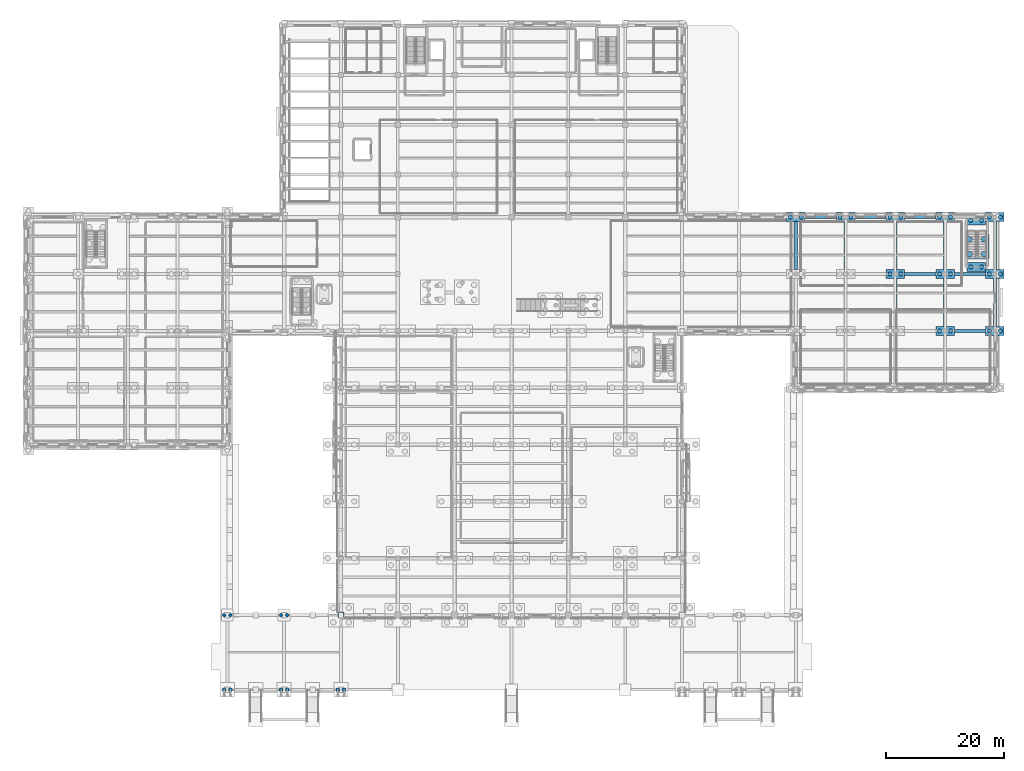
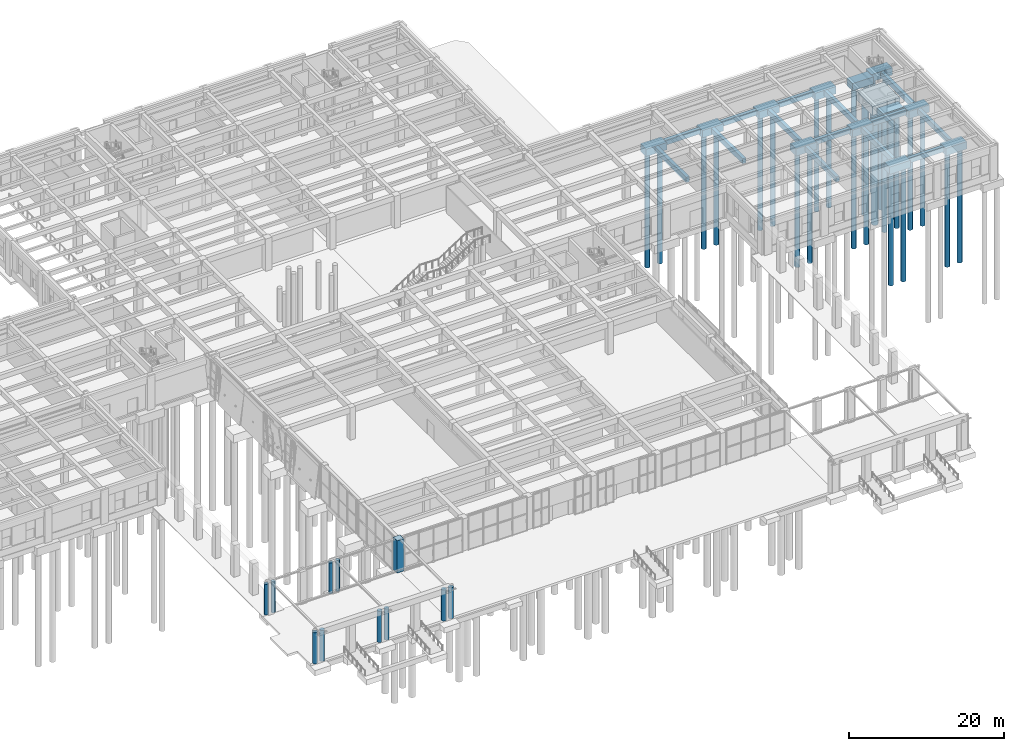
# One storey, part 5 of 51: 28 piles, 27 footings, 11 columns.
"""IFC4 building model written with IfcOpenShell, lengths in metres."""

import ifcopenshell
import ifcopenshell.guid

model = None  # the IFC model being written
_history = None  # IfcOwnerHistory: only IFC2X3 demands one
_inside = {}  # id of a spatial element -> (the spatial element, [elements in it])
_under = {}  # id of a project, library or spatial element -> (it, [spatial elements below it])
_declared = {}  # id of a project -> (the project, [libraries it declares])
_typed = {}  # id of a type object -> (the type object, [elements of that type])
_made_of = {}  # id of a material, layer set ... -> (it, [elements and type objects made of it])


def new_model(schema):
    """Start an empty IFC model of exactly this schema.

    Asked for "IFC4X3", IfcOpenShell would pick the latest addendum, in which some entities
    have other attributes; the version numbers below select the first issue.
    IFC2X3 requires an IfcOwnerHistory on every rooted entity: one is made here for all.
    """
    global model, _history
    if schema == "IFC4X3":
        model = ifcopenshell.file(schema_version=(4, 3, 0, 0))
    else:
        model = ifcopenshell.file(schema=schema)
    _inside.clear()
    _under.clear()
    _declared.clear()
    _typed.clear()
    _made_of.clear()
    _history = None
    if model.schema == "IFC2X3":
        org = make("IfcOrganization", Name="unknown")
        user = make(
            "IfcPersonAndOrganization",
            ThePerson=make("IfcPerson", FamilyName="unknown"),
            TheOrganization=org,
        )
        app = make(
            "IfcApplication",
            ApplicationDeveloper=org,
            Version="unknown",
            ApplicationFullName="unknown",
            ApplicationIdentifier="unknown",
        )
        _history = make(
            "IfcOwnerHistory",
            OwningUser=user,
            OwningApplication=app,
            ChangeAction="ADDED",
            CreationDate=0,
        )
    return model


def make(cls, **values):
    """One entity of the class cls with the attributes given. An attribute that is None is left unset."""
    return model.create_entity(
        cls, **{name: value for name, value in values.items() if value is not None}
    )


def rooted(cls, **values):
    """An entity with a GlobalId (a new one), such as an element, a storey or a relation."""
    return make(cls, GlobalId=ifcopenshell.guid.new(), OwnerHistory=_history, **values)


def si_unit(unit_type, name, prefix=None):
    """IfcSIUnit, for example si_unit("LENGTHUNIT", "METRE", prefix="MILLI")."""
    return make("IfcSIUnit", UnitType=unit_type, Prefix=prefix, Name=name)


def assignment(units):
    """IfcUnitAssignment: the units of a project."""
    return None if units is None else make("IfcUnitAssignment", Units=units)


def point(xyz):
    """IfcCartesianPoint."""
    return None if xyz is None else make("IfcCartesianPoint", Coordinates=xyz)


def direction(xyz):
    """IfcDirection."""
    return None if xyz is None else make("IfcDirection", DirectionRatios=xyz)


def frame(location, z_axis=None, x_axis=None):
    """IfcAxis2Placement3D, a coordinate frame: its origin and axes. An axis left out is left unset."""
    return make(
        "IfcAxis2Placement3D",
        Location=point(location),
        Axis=direction(z_axis),
        RefDirection=direction(x_axis),
    )


def frame_2d(location, x_axis=None):
    """IfcAxis2Placement2D, a coordinate frame in the plane: its origin and x axis."""
    return make(
        "IfcAxis2Placement2D", Location=point(location), RefDirection=direction(x_axis)
    )


def origin():
    """The frame at (0, 0, 0) with its axes left unset."""
    return frame((0.0, 0.0, 0.0))


def origin_2d():
    """The frame at (0, 0) in the plane with its x axis left unset."""
    return frame_2d((0.0, 0.0))


def place(relative_to, where):
    """IfcLocalPlacement: puts the frame where relative to a parent placement (None: the world)."""
    return make(
        "IfcLocalPlacement", PlacementRelTo=relative_to, RelativePlacement=where
    )


def context(
    kind, dimensions, precision=None, world=None, true_north=None, identifier=None
):
    """IfcGeometricRepresentationContext, for example the 3D "Model" context."""
    return make(
        "IfcGeometricRepresentationContext",
        ContextIdentifier=identifier,
        ContextType=kind,
        CoordinateSpaceDimension=dimensions,
        Precision=precision,
        WorldCoordinateSystem=world,
        TrueNorth=true_north,
    )


def subcontext(parent, identifier, kind, view, scale=None):
    """IfcGeometricRepresentationSubContext, for example "Body" below "Model"."""
    return make(
        "IfcGeometricRepresentationSubContext",
        ContextIdentifier=identifier,
        ContextType=kind,
        ParentContext=parent,
        TargetScale=scale,
        TargetView=view,
    )


def project(units=None, contexts=None):
    """IfcProject with its units and contexts."""
    return rooted(
        "IfcProject",
        Name="project",
        RepresentationContexts=contexts,
        UnitsInContext=assignment(units),
    )


def spatial(cls, under=None, at=None, **own):
    """A site, building, storey or space (cls), placed at a placement, below another one or the project."""
    s = rooted(cls, ObjectPlacement=at, **own)
    if under is not None:
        _under.setdefault(under.id(), (under, []))[1].append(s)
    return s


def profile(cls, at=None, kind="AREA", **sizes):
    """A parametric profile (cls). Its sizes go by their IFC names, for example OverallWidth=200.0."""
    return make(cls, ProfileType=kind, Position=at, **sizes)


def rectangle(**sizes):
    """IfcRectangleProfileDef."""
    return profile("IfcRectangleProfileDef", **sizes)


def circle(**sizes):
    """IfcCircleProfileDef."""
    return profile("IfcCircleProfileDef", **sizes)


def extrude(swept, where, along, depth):
    """IfcExtrudedAreaSolid: the profile swept, set in the frame where, extruded along a direction by depth."""
    return make(
        "IfcExtrudedAreaSolid",
        SweptArea=swept,
        Position=where,
        ExtrudedDirection=direction(along),
        Depth=depth,
    )


def shape(context_of_items, identifier, shape_type, items):
    """IfcShapeRepresentation: the items that make up one representation, for example the "Body"."""
    return make(
        "IfcShapeRepresentation",
        ContextOfItems=context_of_items,
        RepresentationIdentifier=identifier,
        RepresentationType=shape_type,
        Items=items,
    )


def material(Name=None, Category=None):
    """IfcMaterial."""
    return make("IfcMaterial", Name=Name, Category=Category)


def material_profile(
    of_material, cross_section, Name=None, Category=None, Priority=None
):
    """IfcMaterialProfile: a cross section and its material."""
    return make(
        "IfcMaterialProfile",
        Name=Name,
        Material=of_material,
        Profile=cross_section,
        Priority=Priority,
        Category=Category,
    )


def profile_set(profiles, Name=None, composite=None):
    """IfcMaterialProfileSet."""
    return make(
        "IfcMaterialProfileSet",
        Name=Name,
        MaterialProfiles=profiles,
        CompositeProfile=composite,
    )


def made_of(thing, what):
    """Note that an element or type object is made of a material, layer set ...; save() writes the relation."""
    if what is not None:
        _made_of.setdefault(what.id(), (what, []))[1].append(thing)
    return thing


def type_object(cls, material=None, **own):
    """A type object (cls), such as IfcWallType, which elements share."""
    return made_of(rooted(cls, **own), material)


def element(
    cls,
    number,
    at=None,
    inside=None,
    cuts=None,
    type_object=None,
    material=None,
    context=None,
    identifier="Body",
    shape_type=None,
    held_by="IfcProductDefinitionShape",
    body=None,
    shapes=None,
    **own,
):
    """One element of the class cls, such as IfcWall. Its Tag is "e" and its number.

    at: its placement. inside: the storey or other place that contains it. cuts: it is an
    opening in that element (IfcRelVoidsElement). A single representation is given by context,
    identifier, shape_type and body (its items); several are given by shapes. held_by: the class
    of the entity that holds the representations. save() writes the other relations.
    """
    e = rooted(cls, Tag="e%d" % number, ObjectPlacement=at, **own)
    if body is not None:
        shapes = [shape(context, identifier, shape_type, body)]
    if shapes is not None:
        e.Representation = make(held_by, Representations=shapes)
    if inside is not None:
        _inside.setdefault(inside.id(), (inside, []))[1].append(e)
    if cuts is not None:
        rooted(
            "IfcRelVoidsElement", RelatingBuildingElement=cuts, RelatedOpeningElement=e
        )
    if type_object is not None:
        _typed.setdefault(type_object.id(), (type_object, []))[1].append(e)
    return made_of(e, material)


def aggregate(whole, parts):
    """IfcRelAggregates: a whole, such as a stair, and the parts it consists of."""
    return rooted("IfcRelAggregates", RelatingObject=whole, RelatedObjects=parts)


def save(model, path):
    """Write the relations noted so far, then the file.

    IfcRelAggregates (storeys below a building ...), IfcRelContainedInSpatialStructure (elements
    in a storey), IfcRelDefinesByType, IfcRelAssociatesMaterial and IfcRelDeclares: one each for
    every whole, place, type object, material and project.
    """
    for whole, parts in _under.values():
        aggregate(whole, parts)
    for where, things in _inside.values():
        rooted(
            "IfcRelContainedInSpatialStructure",
            RelatedElements=things,
            RelatingStructure=where,
        )
    for kind, things in _typed.values():
        rooted("IfcRelDefinesByType", RelatedObjects=things, RelatingType=kind)
    for what, things in _made_of.values():
        rooted("IfcRelAssociatesMaterial", RelatedObjects=things, RelatingMaterial=what)
    for by, libraries in _declared.values():
        rooted("IfcRelDeclares", RelatingContext=by, RelatedDefinitions=libraries)
    model.write(path)


model = new_model("IFC4")

# Units and contexts
model_context = context("Model", 3, precision=1e-05, world=origin(), true_north=direction((0.0, 1.0)))
body_context = subcontext(model_context, "Body", "Model", "MODEL_VIEW")
ifc_project = project(units=[si_unit("LENGTHUNIT", "METRE"), si_unit("AREAUNIT", "SQUARE_METRE"), si_unit("VOLUMEUNIT", "CUBIC_METRE"), si_unit("PLANEANGLEUNIT", "RADIAN"), si_unit("MASSUNIT", "GRAM", prefix="KILO")], contexts=[model_context])

# Site, building, storey
site_placement = place(None, origin())
site = spatial("IfcSite", under=ifc_project, at=site_placement, CompositionType="ELEMENT")
building_placement = place(site_placement, origin())
building = spatial("IfcBuilding", under=site, at=building_placement, Name="Bempovik Park Faculty of Sciences", CompositionType="ELEMENT")
storey_placement = place(building_placement, origin())
storey = spatial("IfcBuildingStorey", under=building, at=storey_placement, Name="L00", CompositionType="ELEMENT", Elevation=0.0)

# Footings
ifc_material_1 = material(Name="Concrete C35/45", Category="concrete")
footing_type_1 = type_object("IfcFootingType", Name="F-19 Pile Cap 3100x1500x1150", PredefinedType="PILE_CAP", material=ifc_material_1)
for number, where, z_axis, x_axis, name in (
    (1, (136.800048828125, 87.0, -1.510009765625), (0.0, 0.0, 1.0), (1.0, 0.0, 0.0), "Footing FT-L0-1368-870"),
    (2, (145.199951171875, 87.0, -1.510009765625), (0.0, 0.0, 1.0), (1.0, 0.0, 0.0), "Footing FT-L0-1452-870"),
    (3, (153.60009765625, 77.39990234375, -1.510009765625), (0.0, 0.0, 1.0), (1.0, 0.0, 0.0), "Footing FT-L0-1536-774"),
    (4, (153.60009765625, 87.0, -1.510009765625), (0.0, 0.0, 1.0), (1.0, 0.0, 0.0), "Footing FT-L0-1536-870"),
    (5, (162.0, 67.800048828125, -1.510009765625), (0.0, 0.0, 1.0), (1.0, 0.0, 0.0), "Footing FT-L0-1620-678"),
    (6, (162.0, 77.39990234375, -1.510009765625), (0.0, 0.0, 1.0), (1.0, 0.0, 0.0), "Footing FT-L0-1620-774"),
    (7, (162.0, 87.0, -1.510009765625), (0.0, 0.0, 1.0), (1.0, 0.0, 0.0), "Footing FT-L0-1620-870"),
    (8, (170.39990234375, 67.800048828125, -1.510009765625), (0.0, 0.0, 1.0), (1.0, 0.0, 0.0), "Footing FT-L0-1704-678"),
    (9, (170.39990234375, 77.39990234375, -1.510009765625), (0.0, 0.0, 1.0), (1.0, 0.0, 0.0), "Footing FT-L0-1704-774"),
    (10, (170.39990234375, 87.0, -1.510009765625), (0.0, 0.0, 1.0), (1.0, 0.0, 0.0), "Footing FT-L0-1704-870"),
    (11, (167.25, 78.60009765625, -1.510009765625), (0.0, 0.0, 1.0), (1.0, 0.0, 0.0), "Footing FT-ST6-S"),
    (12, (167.25, 86.449951171875, -1.510009765625), (0.0, 0.0, 1.0), (1.0, 0.0, 0.0), "Footing FT-ST6-N"),
):
    element("IfcFooting", number, at=place(storey_placement, frame(where, z_axis=z_axis, x_axis=x_axis)), inside=storey, type_object=footing_type_1, Name=name, PredefinedType="PILE_CAP", context=body_context, shape_type="SweptSolid", body=[
        extrude(rectangle(XDim=3.10009765625, YDim=1.5, at=origin_2d()), origin(), (0.0, 0.0, 1.0), 1.14990234375),
    ])
footing_type_2 = type_object("IfcFootingType", Name="F-21 Pile Cap 4100x4100x1400", PredefinedType="PILE_CAP", material=ifc_material_1)
footing_1_placement = place(storey_placement, frame((167.375, 82.0, -1.760009765625), z_axis=(0.0, 0.0, 1.0), x_axis=(1.0, 0.0, 0.0)))
element("IfcFooting", 13, at=footing_1_placement, inside=storey, type_object=footing_type_2, Name="Footing FT-ST6-M", PredefinedType="PILE_CAP", context=body_context, shape_type="SweptSolid", body=[
    extrude(rectangle(XDim=4.10009765625, YDim=4.10009765625, at=origin_2d()), origin(), (0.0, 0.0, 1.0), 1.39990234375),
])
footing_type_3 = type_object("IfcFootingType", Name="F-48 GB 500x800", PredefinedType="FOOTING_BEAM", material=ifc_material_1)
footing_2_placement = place(storey_placement, frame((136.800048828125, 82.199951171875, -1.16015625), z_axis=(0.0, 0.0, 1.0), x_axis=(1.0, 0.0, 0.0)))
element("IfcFooting", 14, at=footing_2_placement, inside=storey, type_object=footing_type_3, Name="Ground Tie Beam GB-Y-138", PredefinedType="FOOTING_BEAM", context=body_context, shape_type="SweptSolid", body=[
    extrude(rectangle(XDim=0.5, YDim=8.06005859375, at=origin_2d()), origin(), (0.0, 0.0, 1.0), 0.800048828125),
])
footing_3_placement = place(storey_placement, frame((141.0, 87.0, -1.16015625), z_axis=(0.0, 0.0, 1.0), x_axis=(1.0, 0.0, 0.0)))
element("IfcFooting", 15, at=footing_3_placement, inside=storey, type_object=footing_type_3, Name="Ground Tie Beam GB-X-140", PredefinedType="FOOTING_BEAM", context=body_context, shape_type="SweptSolid", body=[
    extrude(rectangle(XDim=5.260009765625, YDim=0.5, at=origin_2d()), origin(), (0.0, 0.0, 1.0), 0.800048828125),
])
footing_4_placement = place(storey_placement, frame((145.199951171875, 82.199951171875, -1.16015625), z_axis=(0.0, 0.0, 1.0), x_axis=(1.0, 0.0, 0.0)))
element("IfcFooting", 16, at=footing_4_placement, inside=storey, type_object=footing_type_3, Name="Ground Tie Beam GB-Y-145", PredefinedType="FOOTING_BEAM", context=body_context, shape_type="SweptSolid", body=[
    extrude(rectangle(XDim=0.5, YDim=8.06005859375, at=origin_2d()), origin(), (0.0, 0.0, 1.0), 0.800048828125),
])
footing_5_placement = place(storey_placement, frame((149.39990234375, 87.0, -1.16015625), z_axis=(0.0, 0.0, 1.0), x_axis=(1.0, 0.0, 0.0)))
element("IfcFooting", 17, at=footing_5_placement, inside=storey, type_object=footing_type_3, Name="Ground Tie Beam GB-X-147", PredefinedType="FOOTING_BEAM", context=body_context, shape_type="SweptSolid", body=[
    extrude(rectangle(XDim=5.260009765625, YDim=0.5, at=origin_2d()), origin(), (0.0, 0.0, 1.0), 0.800048828125),
])
for number, where, z_axis, x_axis, name in (
    (18, (153.60009765625, 72.60009765625, -1.16015625), (0.0, 0.0, 1.0), (1.0, 0.0, 0.0), "Ground Tie Beam GB-Y-150"),
    (19, (153.60009765625, 82.199951171875, -1.16015625), (0.0, 0.0, 1.0), (1.0, 0.0, 0.0), "Ground Tie Beam GB-Y-152"),
):
    element("IfcFooting", number, at=place(storey_placement, frame(where, z_axis=z_axis, x_axis=x_axis)), inside=storey, type_object=footing_type_3, Name=name, PredefinedType="FOOTING_BEAM", context=body_context, shape_type="SweptSolid", body=[
        extrude(rectangle(XDim=0.5, YDim=8.06005859375, at=origin_2d()), origin(), (0.0, 0.0, 1.0), 0.800048828125),
    ])
for number, where, z_axis, x_axis, name in (
    (20, (157.800048828125, 77.39990234375, -1.16015625), (0.0, 0.0, 1.0), (1.0, 0.0, 0.0), "Ground Tie Beam GB-X-153"),
    (21, (157.800048828125, 87.0, -1.16015625), (0.0, 0.0, 1.0), (1.0, 0.0, 0.0), "Ground Tie Beam GB-X-154"),
):
    element("IfcFooting", number, at=place(storey_placement, frame(where, z_axis=z_axis, x_axis=x_axis)), inside=storey, type_object=footing_type_3, Name=name, PredefinedType="FOOTING_BEAM", context=body_context, shape_type="SweptSolid", body=[
        extrude(rectangle(XDim=5.260009765625, YDim=0.5, at=origin_2d()), origin(), (0.0, 0.0, 1.0), 0.800048828125),
    ])
footing_6_placement = place(storey_placement, frame((162.0, 72.60009765625, -1.16015625), z_axis=(0.0, 0.0, 1.0), x_axis=(1.0, 0.0, 0.0)))
element("IfcFooting", 22, at=footing_6_placement, inside=storey, type_object=footing_type_3, Name="Ground Tie Beam GB-Y-157", PredefinedType="FOOTING_BEAM", context=body_context, shape_type="SweptSolid", body=[
    extrude(rectangle(XDim=0.5, YDim=8.06005859375, at=origin_2d()), origin(), (0.0, 0.0, 1.0), 0.800048828125),
])
footing_7_placement = place(storey_placement, frame((166.199951171875, 67.800048828125, -1.16015625), z_axis=(0.0, 0.0, 1.0), x_axis=(1.0, 0.0, 0.0)))
element("IfcFooting", 23, at=footing_7_placement, inside=storey, type_object=footing_type_3, Name="Ground Tie Beam GB-X-158", PredefinedType="FOOTING_BEAM", context=body_context, shape_type="SweptSolid", body=[
    extrude(rectangle(XDim=5.260009765625, YDim=0.5, at=origin_2d()), origin(), (0.0, 0.0, 1.0), 0.800048828125),
])
footing_8_placement = place(storey_placement, frame((162.0, 82.199951171875, -1.16015625), z_axis=(0.0, 0.0, 1.0), x_axis=(1.0, 0.0, 0.0)))
element("IfcFooting", 24, at=footing_8_placement, inside=storey, type_object=footing_type_3, Name="Ground Tie Beam GB-Y-159", PredefinedType="FOOTING_BEAM", context=body_context, shape_type="SweptSolid", body=[
    extrude(rectangle(XDim=0.5, YDim=8.06005859375, at=origin_2d()), origin(), (0.0, 0.0, 1.0), 0.800048828125),
])
footing_9_placement = place(storey_placement, frame((166.199951171875, 77.39990234375, -1.16015625), z_axis=(0.0, 0.0, 1.0), x_axis=(1.0, 0.0, 0.0)))
element("IfcFooting", 25, at=footing_9_placement, inside=storey, type_object=footing_type_3, Name="Ground Tie Beam GB-X-160", PredefinedType="FOOTING_BEAM", context=body_context, shape_type="SweptSolid", body=[
    extrude(rectangle(XDim=5.260009765625, YDim=0.5, at=origin_2d()), origin(), (0.0, 0.0, 1.0), 0.800048828125),
])
for number, where, z_axis, x_axis, name in (
    (26, (170.39990234375, 72.60009765625, -1.16015625), (0.0, 0.0, 1.0), (1.0, 0.0, 0.0), "Ground Tie Beam GB-Y-162"),
    (27, (170.39990234375, 82.199951171875, -1.16015625), (0.0, 0.0, 1.0), (1.0, 0.0, 0.0), "Ground Tie Beam GB-Y-163"),
):
    element("IfcFooting", number, at=place(storey_placement, frame(where, z_axis=z_axis, x_axis=x_axis)), inside=storey, type_object=footing_type_3, Name=name, PredefinedType="FOOTING_BEAM", context=body_context, shape_type="SweptSolid", body=[
        extrude(rectangle(XDim=0.5, YDim=8.06005859375, at=origin_2d()), origin(), (0.0, 0.0, 1.0), 0.800048828125),
    ])

# Piles
ifc_material_profile_1 = material_profile(ifc_material_1, circle(Radius=0.47509765625, at=origin_2d()), Name="BP D950")
ifc_profile_set_1 = profile_set([ifc_material_profile_1], Name="Concrete C35/45")
pile_type_1 = type_object("IfcPileType", Name="P-14 BP D950", PredefinedType="BORED", material=ifc_profile_set_1)
for number, where, z_axis, x_axis, name in (
    (28, (166.125, 80.75, -1.659912109375), (0.0, 0.0, -1.0), (1.0, 0.0, 0.0), "Bored Pile FT-ST6-M-P1"),
    (29, (166.125, 83.25, -1.659912109375), (0.0, 0.0, -1.0), (1.0, 0.0, 0.0), "Bored Pile FT-ST6-M-P2"),
    (30, (168.625, 80.75, -1.659912109375), (0.0, 0.0, -1.0), (1.0, 0.0, 0.0), "Bored Pile FT-ST6-M-P3"),
    (31, (168.625, 83.25, -1.659912109375), (0.0, 0.0, -1.0), (1.0, 0.0, 0.0), "Bored Pile FT-ST6-M-P4"),
):
    element("IfcPile", number, at=place(storey_placement, frame(where, z_axis=z_axis, x_axis=x_axis)), inside=storey, type_object=pile_type_1, Name=name, PredefinedType="BORED", context=body_context, shape_type="SweptSolid", body=[
        extrude(circle(Radius=0.47509765625, at=origin_2d()), origin(), (0.0, 0.0, 1.0), 17.840087890625),
    ])
ifc_material_profile_2 = material_profile(ifc_material_1, circle(Radius=0.35009765625, at=origin_2d()), Name="BP D700")
ifc_profile_set_2 = profile_set([ifc_material_profile_2], Name="Concrete C35/45")
pile_type_2 = type_object("IfcPileType", Name="P-16 BP D700", PredefinedType="BORED", material=ifc_profile_set_2)
for number, where, z_axis, x_axis, name in (
    (32, (135.875, 87.0, -1.409912109375), (0.0, 0.0, -1.0), (1.0, 0.0, 0.0), "Bored Pile FT-L0-1368-870-P1"),
    (33, (137.72509765625, 87.0, -1.409912109375), (0.0, 0.0, -1.0), (1.0, 0.0, 0.0), "Bored Pile FT-L0-1368-870-P2"),
    (34, (144.27490234375, 87.0, -1.409912109375), (0.0, 0.0, -1.0), (1.0, 0.0, 0.0), "Bored Pile FT-L0-1452-870-P1"),
    (35, (146.125, 87.0, -1.409912109375), (0.0, 0.0, -1.0), (1.0, 0.0, 0.0), "Bored Pile FT-L0-1452-870-P2"),
    (36, (152.675048828125, 77.39990234375, -1.409912109375), (0.0, 0.0, -1.0), (1.0, 0.0, 0.0), "Bored Pile FT-L0-1536-774-P1"),
    (37, (154.52490234375, 77.39990234375, -1.409912109375), (0.0, 0.0, -1.0), (1.0, 0.0, 0.0), "Bored Pile FT-L0-1536-774-P2"),
    (38, (152.675048828125, 87.0, -1.409912109375), (0.0, 0.0, -1.0), (1.0, 0.0, 0.0), "Bored Pile FT-L0-1536-870-P1"),
    (39, (154.52490234375, 87.0, -1.409912109375), (0.0, 0.0, -1.0), (1.0, 0.0, 0.0), "Bored Pile FT-L0-1536-870-P2"),
    (40, (161.074951171875, 67.800048828125, -1.409912109375), (0.0, 0.0, -1.0), (1.0, 0.0, 0.0), "Bored Pile FT-L0-1620-678-P1"),
    (41, (162.925048828125, 67.800048828125, -1.409912109375), (0.0, 0.0, -1.0), (1.0, 0.0, 0.0), "Bored Pile FT-L0-1620-678-P2"),
    (42, (161.074951171875, 77.39990234375, -1.409912109375), (0.0, 0.0, -1.0), (1.0, 0.0, 0.0), "Bored Pile FT-L0-1620-774-P1"),
    (43, (162.925048828125, 77.39990234375, -1.409912109375), (0.0, 0.0, -1.0), (1.0, 0.0, 0.0), "Bored Pile FT-L0-1620-774-P2"),
    (44, (161.074951171875, 87.0, -1.409912109375), (0.0, 0.0, -1.0), (1.0, 0.0, 0.0), "Bored Pile FT-L0-1620-870-P1"),
    (45, (162.925048828125, 87.0, -1.409912109375), (0.0, 0.0, -1.0), (1.0, 0.0, 0.0), "Bored Pile FT-L0-1620-870-P2"),
    (46, (169.47509765625, 67.800048828125, -1.409912109375), (0.0, 0.0, -1.0), (1.0, 0.0, 0.0), "Bored Pile FT-L0-1704-678-P1"),
    (47, (171.324951171875, 67.800048828125, -1.409912109375), (0.0, 0.0, -1.0), (1.0, 0.0, 0.0), "Bored Pile FT-L0-1704-678-P2"),
    (48, (169.47509765625, 77.39990234375, -1.409912109375), (0.0, 0.0, -1.0), (1.0, 0.0, 0.0), "Bored Pile FT-L0-1704-774-P1"),
    (49, (171.324951171875, 77.39990234375, -1.409912109375), (0.0, 0.0, -1.0), (1.0, 0.0, 0.0), "Bored Pile FT-L0-1704-774-P2"),
    (50, (169.47509765625, 87.0, -1.409912109375), (0.0, 0.0, -1.0), (1.0, 0.0, 0.0), "Bored Pile FT-L0-1704-870-P1"),
    (51, (171.324951171875, 87.0, -1.409912109375), (0.0, 0.0, -1.0), (1.0, 0.0, 0.0), "Bored Pile FT-L0-1704-870-P2"),
    (52, (166.324951171875, 78.60009765625, -1.409912109375), (0.0, 0.0, -1.0), (1.0, 0.0, 0.0), "Bored Pile FT-ST6-S-P1"),
    (53, (168.175048828125, 78.60009765625, -1.409912109375), (0.0, 0.0, -1.0), (1.0, 0.0, 0.0), "Bored Pile FT-ST6-S-P2"),
    (54, (166.324951171875, 86.449951171875, -1.409912109375), (0.0, 0.0, -1.0), (1.0, 0.0, 0.0), "Bored Pile FT-ST6-N-P1"),
    (55, (168.175048828125, 86.449951171875, -1.409912109375), (0.0, 0.0, -1.0), (1.0, 0.0, 0.0), "Bored Pile FT-ST6-N-P2"),
):
    element("IfcPile", number, at=place(storey_placement, frame(where, z_axis=z_axis, x_axis=x_axis)), inside=storey, type_object=pile_type_2, Name=name, PredefinedType="BORED", context=body_context, shape_type="SweptSolid", body=[
        extrude(circle(Radius=0.35009765625, at=origin_2d()), origin(), (0.0, 0.0, 1.0), 18.090087890625),
    ])

# Columns
ifc_material_2 = material(Name="Precast concrete C40/50", Category="concrete")
ifc_material_profile_3 = material_profile(ifc_material_2, circle(Radius=0.340087890625, at=origin_2d()), Name="RC D680")
ifc_profile_set_3 = profile_set([ifc_material_profile_3], Name="Precast concrete C40/50")
column_type_1 = type_object("IfcColumnType", Name="C-23 RC D680", PredefinedType="PILASTER", material=ifc_profile_set_3)
for number, where, z_axis, x_axis, name in (
    (56, (40.280029296875, 7.199951171875, 0.0), (0.0, 0.0, 1.0), (1.0, 0.0, 0.0), "Park Colonnade Classical Column A-40.8-W"),
    (57, (41.320068359375, 7.199951171875, 0.0), (0.0, 0.0, 1.0), (1.0, 0.0, 0.0), "Park Colonnade Classical Column A-40.8-E"),
    (58, (49.8798828125, 7.199951171875, 0.0), (0.0, 0.0, 1.0), (1.0, 0.0, 0.0), "Park Colonnade Classical Column A-50.4-W"),
    (59, (50.919921875, 7.199951171875, 0.0), (0.0, 0.0, 1.0), (1.0, 0.0, 0.0), "Park Colonnade Classical Column A-50.4-E"),
    (60, (59.47998046875, 7.199951171875, 0.0), (0.0, 0.0, 1.0), (1.0, 0.0, 0.0), "Park Colonnade Classical Column A-60.0-W"),
    (61, (60.52001953125, 7.199951171875, 0.0), (0.0, 0.0, 1.0), (1.0, 0.0, 0.0), "Park Colonnade Classical Column A-60.0-E"),
):
    element("IfcColumn", number, at=place(storey_placement, frame(where, z_axis=z_axis, x_axis=x_axis)), inside=storey, type_object=column_type_1, Name=name, PredefinedType="PILASTER", context=body_context, shape_type="SweptSolid", body=[
        extrude(circle(Radius=0.340087890625, at=origin_2d()), origin(), (0.0, 0.0, 1.0), 4.909912109375),
    ])
ifc_material_profile_4 = material_profile(ifc_material_2, circle(Radius=0.2900390625, at=origin_2d()), Name="RC D580")
ifc_profile_set_4 = profile_set([ifc_material_profile_4], Name="Precast concrete C40/50")
column_type_2 = type_object("IfcColumnType", Name="C-66 RC D580", PredefinedType="PILASTER", material=ifc_profile_set_4)
for number, where, z_axis, x_axis, name in (
    (62, (40.280029296875, 19.800048828125, 0.0), (0.0, 0.0, 1.0), (1.0, 0.0, 0.0), "Park Colonnade Classical Column B-40.8-W"),
    (63, (41.320068359375, 19.800048828125, 0.0), (0.0, 0.0, 1.0), (1.0, 0.0, 0.0), "Park Colonnade Classical Column B-40.8-E"),
    (64, (49.8798828125, 19.800048828125, 0.0), (0.0, 0.0, 1.0), (1.0, 0.0, 0.0), "Park Colonnade Classical Column B-50.4-W"),
    (65, (50.919921875, 19.800048828125, 0.0), (0.0, 0.0, 1.0), (1.0, 0.0, 0.0), "Park Colonnade Classical Column B-50.4-E"),
):
    element("IfcColumn", number, at=place(storey_placement, frame(where, z_axis=z_axis, x_axis=x_axis)), inside=storey, type_object=column_type_2, Name=name, PredefinedType="PILASTER", context=body_context, shape_type="SweptSolid", body=[
        extrude(circle(Radius=0.2900390625, at=origin_2d()), origin(), (0.0, 0.0, 1.0), 4.8701171875),
    ])
ifc_material_3 = material(Name="Concrete C40/50", Category="concrete")
ifc_material_profile_5 = material_profile(ifc_material_3, rectangle(XDim=1.0, YDim=1.0, at=origin_2d()), Name="RC 1000x1000")
ifc_profile_set_5 = profile_set([ifc_material_profile_5], Name="Concrete C40/50")
column_type_3 = type_object("IfcColumnType", Name="C-84 RC 1000x1000", PredefinedType="COLUMN", material=ifc_profile_set_5)
column_placement = place(storey_placement, frame((60.0, 19.800048828125, 0.0), z_axis=(0.0, 0.0, 1.0), x_axis=(1.0, 0.0, 0.0)))
element("IfcColumn", 66, at=column_placement, inside=storey, type_object=column_type_3, Name="L00 Structural Column (60.0,19.8)", PredefinedType="COLUMN", context=body_context, shape_type="SweptSolid", body=[
    extrude(rectangle(XDim=1.0, YDim=1.0, at=origin_2d()), origin(), (0.0, 0.0, 1.0), 5.080078125),
])

save(model, "model.ifc")
